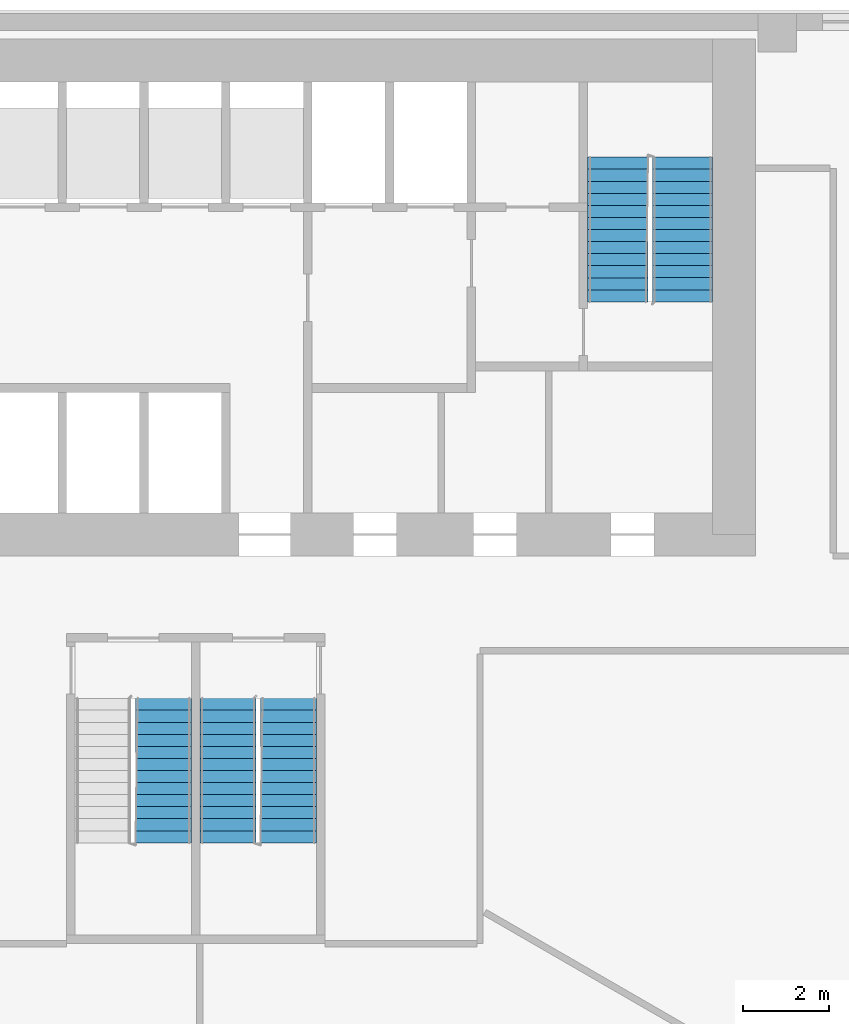
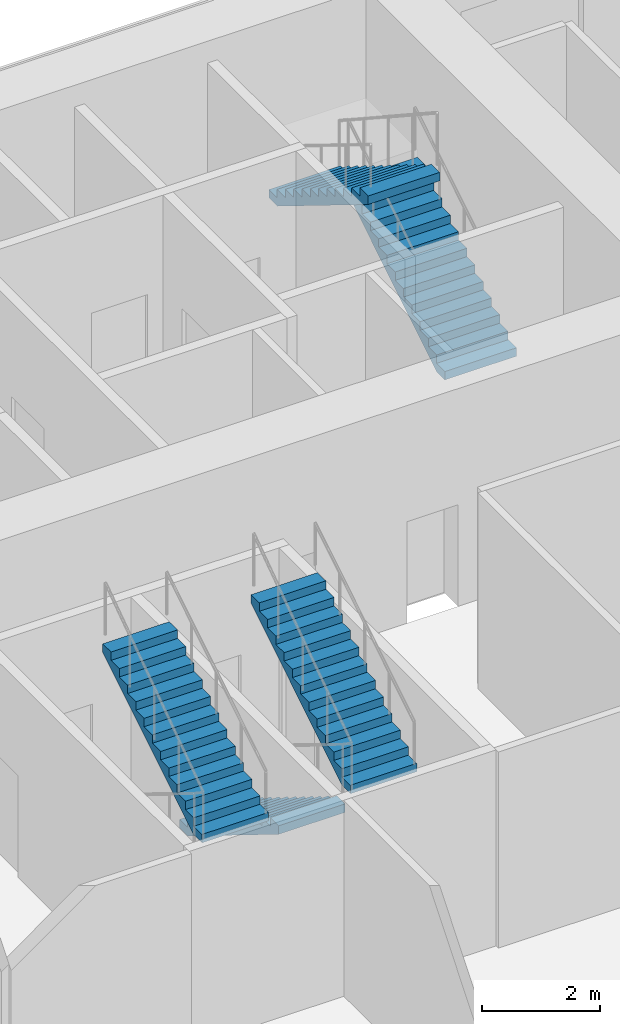
# One storey, part 7 of 9: 5 stair flights, 3 elements without a shape of their own.
"""IFC4 building model written with IfcOpenShell, lengths in metres."""

from ifc_helpers import new_model, si_unit, direction, frame, origin, place, context, subcontext, project, spatial, polyline, outline, extrude, material, type_object, element, aggregate, save


model = new_model("IFC4")

# Units and contexts
model_context = context("Model", 3, precision=1e-05, world=origin(), true_north=direction((0.0, 1.0)))
body_context = subcontext(model_context, "Body", "Model", "MODEL_VIEW")
ifc_project = project(units=[si_unit("LENGTHUNIT", "METRE"), si_unit("AREAUNIT", "SQUARE_METRE"), si_unit("VOLUMEUNIT", "CUBIC_METRE"), si_unit("PLANEANGLEUNIT", "RADIAN"), si_unit("MASSUNIT", "GRAM", prefix="KILO")], contexts=[model_context])

# Site, building, storey
site_placement = place(None, origin())
site = spatial("IfcSite", under=ifc_project, at=site_placement, CompositionType="ELEMENT")
building_placement = place(site_placement, origin())
building = spatial("IfcBuilding", under=site, at=building_placement, Name="Altiplano Prism Tower", CompositionType="ELEMENT")
storey_placement = place(building_placement, frame((0.0, 0.0, 13.5)))
storey = spatial("IfcBuildingStorey", under=building, at=storey_placement, Name="L02", CompositionType="ELEMENT", Elevation=13.5)

# Stair, stair flights
ifc_material = material(Name="Concrete C40/50", Category="concrete")
stair_type_1 = type_object("IfcStairType", Name="Exit stair 1400", PredefinedType="HALF_TURN_STAIR", material=ifc_material)
stair_1_placement = place(storey_placement, origin())
stair_1 = element("IfcStair", 1, at=stair_1_placement, inside=storey, type_object=stair_type_1, Name="L02 Exit Stair 2", PredefinedType="HALF_TURN_STAIR")
stair_flight_type = type_object("IfcStairFlightType", Name="Stair flight concrete 150", PredefinedType="STRAIGHT", material=ifc_material)
stair_flight_1_placement = place(storey_placement, frame((96.300048828125, 98.300048828125, 0.0), z_axis=(0.0, 0.0, 1.0), x_axis=(0.0, 1.0, 0.0)))
stair_flight_1 = element("IfcStairFlight", 2, at=stair_flight_1_placement, type_object=stair_flight_type, Name="ST2 flight 1", NumberOfRisers=13, NumberOfTreads=12, PredefinedType="STRAIGHT", RiserHeight=0.173076923, TreadLength=0.28, context=body_context, shape_type="SweptSolid", body=[
    extrude(outline(polyline([(0.0, 0.0), (0.0, 0.173095703125), (0.280029296875, 0.173095703125), (0.280029296875, 0.34619140625), (0.56005859375, 0.34619140625), (0.56005859375, 0.519287109375), (0.840087890625, 0.519287109375), (0.840087890625, 0.6923828125), (1.1201171875, 0.6923828125), (1.1201171875, 0.865478515625), (1.39990234375, 0.865478515625), (1.39990234375, 1.03857421875), (1.679931640625, 1.03857421875), (1.679931640625, 1.21142578125), (1.9599609375, 1.21142578125), (1.9599609375, 1.384521484375), (2.239990234375, 1.384521484375), (2.239990234375, 1.5576171875), (2.52001953125, 1.5576171875), (2.52001953125, 1.730712890625), (2.800048828125, 1.730712890625), (2.800048828125, 1.90380859375), (3.080078125, 1.90380859375), (3.080078125, 2.076904296875), (3.360107421875, 2.076904296875), (3.360107421875, 2.25), (3.360107421875, 1.900634765625), (0.28515625, 0.0), (0.0, 0.0)])), frame((0.0, 0.699951171875, 0.0), z_axis=(0.0, -1.0, 0.0), x_axis=(1.0, 0.0, 0.0)), (0.0, 0.0, 1.0), 1.39990234375),
])
stair_flight_2_placement = place(storey_placement, frame((94.800048828125, 101.659912109375, 2.25), z_axis=(0.0, 0.0, 1.0), x_axis=(0.0, -1.0, 0.0)))
stair_flight_2 = element("IfcStairFlight", 3, at=stair_flight_2_placement, type_object=stair_flight_type, Name="ST2 flight 2", NumberOfRisers=13, NumberOfTreads=12, PredefinedType="STRAIGHT", RiserHeight=0.173076923, TreadLength=0.28, context=body_context, shape_type="SweptSolid", body=[
    extrude(outline(polyline([(0.0, 0.0), (0.0, 0.173095703125), (0.280029296875, 0.173095703125), (0.280029296875, 0.34619140625), (0.56005859375, 0.34619140625), (0.56005859375, 0.519287109375), (0.840087890625, 0.519287109375), (0.840087890625, 0.6923828125), (1.1201171875, 0.6923828125), (1.1201171875, 0.865478515625), (1.39990234375, 0.865478515625), (1.39990234375, 1.03857421875), (1.679931640625, 1.03857421875), (1.679931640625, 1.21142578125), (1.9599609375, 1.21142578125), (1.9599609375, 1.384521484375), (2.239990234375, 1.384521484375), (2.239990234375, 1.5576171875), (2.52001953125, 1.5576171875), (2.52001953125, 1.730712890625), (2.800048828125, 1.730712890625), (2.800048828125, 1.90380859375), (3.080078125, 1.90380859375), (3.080078125, 2.076904296875), (3.360107421875, 2.076904296875), (3.360107421875, 2.25), (3.360107421875, 1.900634765625), (0.28515625, 0.0), (0.0, 0.0)])), frame((0.0, 0.699951171875, 0.0), z_axis=(0.0, -1.0, 0.0), x_axis=(1.0, 0.0, 0.0)), (0.0, 0.0, 1.0), 1.39990234375),
])
aggregate(stair_1, [stair_flight_1, stair_flight_2])

# Stair, stair flight
stair_type_2 = type_object("IfcStairType", Name="Exit stair 1300", PredefinedType="HALF_TURN_STAIR", material=ifc_material)
stair_2_placement = place(storey_placement, origin())
stair_2 = element("IfcStair", 4, at=stair_2_placement, inside=storey, type_object=stair_type_2, Name="L02 Exit Stair 3A", PredefinedType="HALF_TURN_STAIR")
stair_flight_3_placement = place(storey_placement, frame((84.25, 85.739990234375, 2.25), z_axis=(0.0, 0.0, 1.0), x_axis=(0.0, 1.0, 0.0)))
stair_flight_3 = element("IfcStairFlight", 5, at=stair_flight_3_placement, type_object=stair_flight_type, Name="ST3A flight 2", NumberOfRisers=13, NumberOfTreads=12, PredefinedType="STRAIGHT", RiserHeight=0.173076923, TreadLength=0.28, context=body_context, shape_type="SweptSolid", body=[
    extrude(outline(polyline([(0.0, 0.0), (0.0, 0.173095703125), (0.280029296875, 0.173095703125), (0.280029296875, 0.34619140625), (0.56005859375, 0.34619140625), (0.56005859375, 0.519287109375), (0.840087890625, 0.519287109375), (0.840087890625, 0.6923828125), (1.1201171875, 0.6923828125), (1.1201171875, 0.865478515625), (1.39990234375, 0.865478515625), (1.39990234375, 1.03857421875), (1.679931640625, 1.03857421875), (1.679931640625, 1.21142578125), (1.9599609375, 1.21142578125), (1.9599609375, 1.384521484375), (2.239990234375, 1.384521484375), (2.239990234375, 1.5576171875), (2.52001953125, 1.5576171875), (2.52001953125, 1.730712890625), (2.800048828125, 1.730712890625), (2.800048828125, 1.90380859375), (3.080078125, 1.90380859375), (3.080078125, 2.076904296875), (3.360107421875, 2.076904296875), (3.360107421875, 2.25), (3.360107421875, 1.900634765625), (0.28515625, 0.0), (0.0, 0.0)])), frame((0.0, 0.64990234375, 0.0), z_axis=(0.0, -1.0, 0.0), x_axis=(1.0, 0.0, 0.0)), (0.0, 0.0, 1.0), 1.300048828125),
])
aggregate(stair_2, [stair_flight_3])

# Stair, stair flights
stair_3_placement = place(storey_placement, origin())
stair_3 = element("IfcStair", 6, at=stair_3_placement, inside=storey, type_object=stair_type_2, Name="L02 Exit Stair 3B", PredefinedType="HALF_TURN_STAIR")
stair_flight_4_placement = place(storey_placement, frame((85.75, 89.10009765625, 0.0), z_axis=(0.0, 0.0, 1.0), x_axis=(0.0, -1.0, 0.0)))
stair_flight_4 = element("IfcStairFlight", 7, at=stair_flight_4_placement, type_object=stair_flight_type, Name="ST3B flight 1", NumberOfRisers=13, NumberOfTreads=12, PredefinedType="STRAIGHT", RiserHeight=0.173076923, TreadLength=0.28, context=body_context, shape_type="SweptSolid", body=[
    extrude(outline(polyline([(0.0, 0.0), (0.0, 0.173095703125), (0.280029296875, 0.173095703125), (0.280029296875, 0.34619140625), (0.56005859375, 0.34619140625), (0.56005859375, 0.519287109375), (0.840087890625, 0.519287109375), (0.840087890625, 0.6923828125), (1.1201171875, 0.6923828125), (1.1201171875, 0.865478515625), (1.39990234375, 0.865478515625), (1.39990234375, 1.03857421875), (1.679931640625, 1.03857421875), (1.679931640625, 1.21142578125), (1.9599609375, 1.21142578125), (1.9599609375, 1.384521484375), (2.239990234375, 1.384521484375), (2.239990234375, 1.5576171875), (2.52001953125, 1.5576171875), (2.52001953125, 1.730712890625), (2.800048828125, 1.730712890625), (2.800048828125, 1.90380859375), (3.080078125, 1.90380859375), (3.080078125, 2.076904296875), (3.360107421875, 2.076904296875), (3.360107421875, 2.25), (3.360107421875, 1.900634765625), (0.28515625, 0.0), (0.0, 0.0)])), frame((0.0, 0.64990234375, 0.0), z_axis=(0.0, -1.0, 0.0), x_axis=(1.0, 0.0, 0.0)), (0.0, 0.0, 1.0), 1.300048828125),
])
stair_flight_5_placement = place(storey_placement, frame((87.14990234375, 85.739990234375, 2.25), z_axis=(0.0, 0.0, 1.0), x_axis=(0.0, 1.0, 0.0)))
stair_flight_5 = element("IfcStairFlight", 8, at=stair_flight_5_placement, type_object=stair_flight_type, Name="ST3B flight 2", NumberOfRisers=13, NumberOfTreads=12, PredefinedType="STRAIGHT", RiserHeight=0.173076923, TreadLength=0.28, context=body_context, shape_type="SweptSolid", body=[
    extrude(outline(polyline([(0.0, 0.0), (0.0, 0.173095703125), (0.280029296875, 0.173095703125), (0.280029296875, 0.34619140625), (0.56005859375, 0.34619140625), (0.56005859375, 0.519287109375), (0.840087890625, 0.519287109375), (0.840087890625, 0.6923828125), (1.1201171875, 0.6923828125), (1.1201171875, 0.865478515625), (1.39990234375, 0.865478515625), (1.39990234375, 1.03857421875), (1.679931640625, 1.03857421875), (1.679931640625, 1.21142578125), (1.9599609375, 1.21142578125), (1.9599609375, 1.384521484375), (2.239990234375, 1.384521484375), (2.239990234375, 1.5576171875), (2.52001953125, 1.5576171875), (2.52001953125, 1.730712890625), (2.800048828125, 1.730712890625), (2.800048828125, 1.90380859375), (3.080078125, 1.90380859375), (3.080078125, 2.076904296875), (3.360107421875, 2.076904296875), (3.360107421875, 2.25), (3.360107421875, 1.900634765625), (0.28515625, 0.0), (0.0, 0.0)])), frame((0.0, 0.64990234375, 0.0), z_axis=(0.0, -1.0, 0.0), x_axis=(1.0, 0.0, 0.0)), (0.0, 0.0, 1.0), 1.300048828125),
])
aggregate(stair_3, [stair_flight_4, stair_flight_5])

save(model, "model.ifc")
